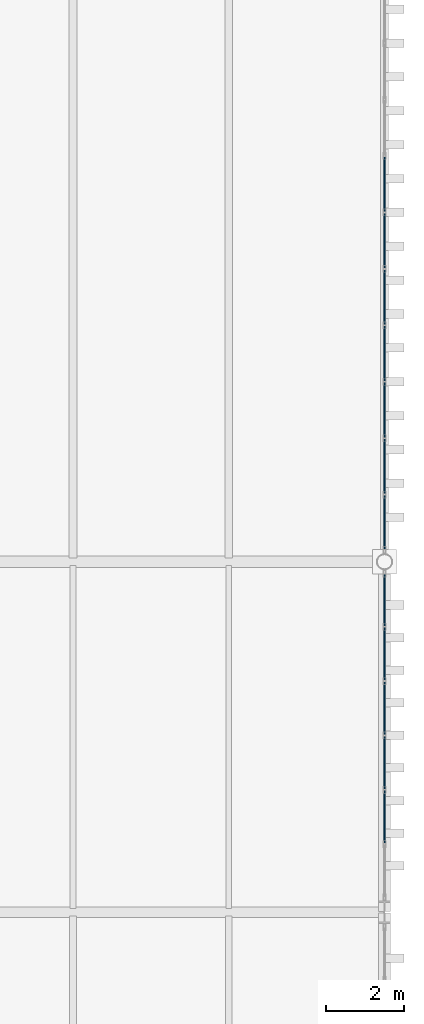
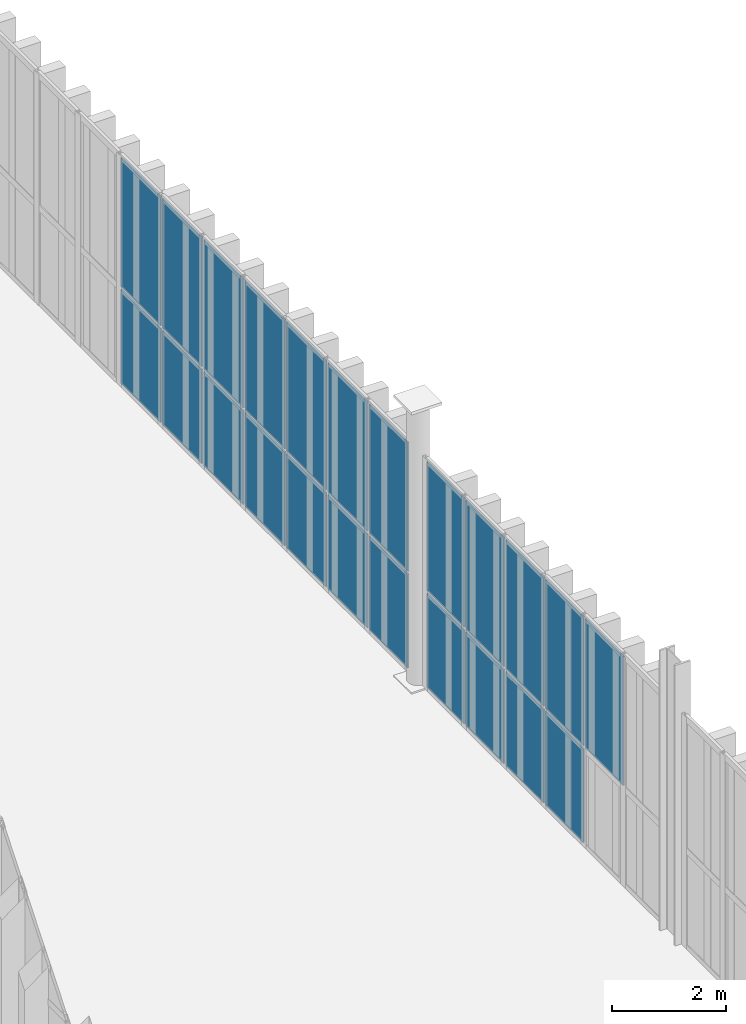
# One storey, part 166 of 211: 23 plates, 2 elements without a shape of their own.
"""IFC4 building model written with IfcOpenShell, lengths in metres."""

from ifc_helpers import new_model, si_unit, direction, frame, origin, origin_2d, place, context, subcontext, project, spatial, rectangle, extrude, material, layer, layer_set, type_object, element, aggregate, save


model = new_model("IFC4")

# Units and contexts
model_context = context("Model", 3, precision=1e-05, world=origin(), true_north=direction((0.0, 1.0)))
body_context = subcontext(model_context, "Body", "Model", "MODEL_VIEW")
ifc_project = project(units=[si_unit("LENGTHUNIT", "METRE"), si_unit("AREAUNIT", "SQUARE_METRE"), si_unit("VOLUMEUNIT", "CUBIC_METRE"), si_unit("PLANEANGLEUNIT", "RADIAN"), si_unit("MASSUNIT", "GRAM", prefix="KILO")], contexts=[model_context])

# Site, building, storey
site_placement = place(None, origin())
site = spatial("IfcSite", under=ifc_project, at=site_placement, CompositionType="ELEMENT")
building_placement = place(site_placement, origin())
building = spatial("IfcBuilding", under=site, at=building_placement, Name="Barlavento Convention Centre", CompositionType="ELEMENT")
storey_placement = place(building_placement, frame((0.0, 0.0, 6.0)))
storey = spatial("IfcBuildingStorey", under=building, at=storey_placement, Name="L01", CompositionType="ELEMENT", Elevation=6.0)

# Curtain wall, plates
ifc_material_1 = material(Name="Powder-coated aluminium and Low-E glass", Category="aluminium")
ifc_layer_1 = layer(ifc_material_1, 0.195068359375)
ifc_layer_set_1 = layer_set([ifc_layer_1], Name="ARC-CW-FOY-L01")
curtain_wall_type = type_object("IfcCurtainWallType", Name="ARC-CW-FOY-L01", PredefinedType="NOTDEFINED", material=ifc_layer_set_1)
curtain_wall_1_placement = place(storey_placement, origin())
curtain_wall_1 = element("IfcCurtainWall", 1, at=curtain_wall_1_placement, inside=storey, type_object=curtain_wall_type, Name="L01 unitised curtain wall CW03", PredefinedType="NOTDEFINED")
ifc_material_2 = material(Name="Double-silver Low-E insulated glass", Category="glass")
ifc_layer_2 = layer(ifc_material_2, 0.028076171875)
ifc_layer_set_2 = layer_set([ifc_layer_2], Name="ARC-CWP-GLZ28")
plate_type = type_object("IfcPlateType", Name="ARC-CWP-GLZ28", PredefinedType="CURTAIN_PANEL", material=ifc_layer_set_2)
plate_1_placement = place(storey_placement, frame((192.0, 110.44873046875, 2.1298828125), z_axis=(0.0, 0.0, 1.0), x_axis=(0.0, 1.0, 0.0)))
plate_1 = element("IfcPlate", 2, at=plate_1_placement, type_object=plate_type, Name="CW03 panel 2.2", PredefinedType="CURTAIN_PANEL", context=body_context, shape_type="SweptSolid", body=[
    extrude(rectangle(XDim=1.335205078125, YDim=0.028076171875, at=origin_2d()), origin(), (0.0, 0.0, 1.0), 2.760009765625),
])
plate_2_placement = place(storey_placement, frame((192.0, 111.84375, 0.06005859375), z_axis=(0.0, 0.0, 1.0), x_axis=(0.0, 1.0, 0.0)))
plate_2 = element("IfcPlate", 3, at=plate_2_placement, type_object=plate_type, Name="CW03 panel 3.1", PredefinedType="CURTAIN_PANEL", context=body_context, shape_type="SweptSolid", body=[
    extrude(rectangle(XDim=1.335205078125, YDim=0.028076171875, at=origin_2d()), origin(), (0.0, 0.0, 1.0), 2.010009765625),
])
plate_3_placement = place(storey_placement, frame((192.0, 111.84375, 2.1298828125), z_axis=(0.0, 0.0, 1.0), x_axis=(0.0, 1.0, 0.0)))
plate_3 = element("IfcPlate", 4, at=plate_3_placement, type_object=plate_type, Name="CW03 panel 3.2", PredefinedType="CURTAIN_PANEL", context=body_context, shape_type="SweptSolid", body=[
    extrude(rectangle(XDim=1.335205078125, YDim=0.028076171875, at=origin_2d()), origin(), (0.0, 0.0, 1.0), 2.760009765625),
])
plate_4_placement = place(storey_placement, frame((192.0, 113.239013671875, 0.06005859375), z_axis=(0.0, 0.0, 1.0), x_axis=(0.0, 1.0, 0.0)))
plate_4 = element("IfcPlate", 5, at=plate_4_placement, type_object=plate_type, Name="CW03 panel 4.1", PredefinedType="CURTAIN_PANEL", context=body_context, shape_type="SweptSolid", body=[
    extrude(rectangle(XDim=1.335205078125, YDim=0.028076171875, at=origin_2d()), origin(), (0.0, 0.0, 1.0), 2.010009765625),
])
plate_5_placement = place(storey_placement, frame((192.0, 113.239013671875, 2.1298828125), z_axis=(0.0, 0.0, 1.0), x_axis=(0.0, 1.0, 0.0)))
plate_5 = element("IfcPlate", 6, at=plate_5_placement, type_object=plate_type, Name="CW03 panel 4.2", PredefinedType="CURTAIN_PANEL", context=body_context, shape_type="SweptSolid", body=[
    extrude(rectangle(XDim=1.335205078125, YDim=0.028076171875, at=origin_2d()), origin(), (0.0, 0.0, 1.0), 2.760009765625),
])
plate_6_placement = place(storey_placement, frame((192.0, 114.634033203125, 0.06005859375), z_axis=(0.0, 0.0, 1.0), x_axis=(0.0, 1.0, 0.0)))
plate_6 = element("IfcPlate", 7, at=plate_6_placement, type_object=plate_type, Name="CW03 panel 5.1", PredefinedType="CURTAIN_PANEL", context=body_context, shape_type="SweptSolid", body=[
    extrude(rectangle(XDim=1.335205078125, YDim=0.028076171875, at=origin_2d()), origin(), (0.0, 0.0, 1.0), 2.010009765625),
])
plate_7_placement = place(storey_placement, frame((192.0, 114.634033203125, 2.1298828125), z_axis=(0.0, 0.0, 1.0), x_axis=(0.0, 1.0, 0.0)))
plate_7 = element("IfcPlate", 8, at=plate_7_placement, type_object=plate_type, Name="CW03 panel 5.2", PredefinedType="CURTAIN_PANEL", context=body_context, shape_type="SweptSolid", body=[
    extrude(rectangle(XDim=1.335205078125, YDim=0.028076171875, at=origin_2d()), origin(), (0.0, 0.0, 1.0), 2.760009765625),
])
plate_8_placement = place(storey_placement, frame((192.0, 116.01416015625, 0.06005859375), z_axis=(0.0, 0.0, 1.0), x_axis=(0.0, 1.0, 0.0)))
plate_8 = element("IfcPlate", 9, at=plate_8_placement, type_object=plate_type, Name="CW03 panel 6.1", PredefinedType="CURTAIN_PANEL", context=body_context, shape_type="SweptSolid", body=[
    extrude(rectangle(XDim=1.30517578125, YDim=0.028076171875, at=origin_2d()), origin(), (0.0, 0.0, 1.0), 2.010009765625),
])
plate_9_placement = place(storey_placement, frame((192.0, 116.01416015625, 2.1298828125), z_axis=(0.0, 0.0, 1.0), x_axis=(0.0, 1.0, 0.0)))
plate_9 = element("IfcPlate", 10, at=plate_9_placement, type_object=plate_type, Name="CW03 panel 6.2", PredefinedType="CURTAIN_PANEL", context=body_context, shape_type="SweptSolid", body=[
    extrude(rectangle(XDim=1.30517578125, YDim=0.028076171875, at=origin_2d()), origin(), (0.0, 0.0, 1.0), 2.760009765625),
])
aggregate(curtain_wall_1, [plate_1, plate_2, plate_3, plate_4, plate_5, plate_6, plate_7, plate_8, plate_9])

curtain_wall_2_placement = place(storey_placement, origin())
curtain_wall_2 = element("IfcCurtainWall", 11, at=curtain_wall_2_placement, inside=storey, type_object=curtain_wall_type, Name="L01 unitised curtain wall CW03", PredefinedType="NOTDEFINED")
plate_10_placement = place(storey_placement, frame((192.0, 118.012939453125, 0.06005859375), z_axis=(0.0, 0.0, 1.0), x_axis=(0.0, 1.0, 0.0)))
plate_10 = element("IfcPlate", 12, at=plate_10_placement, type_object=plate_type, Name="CW03 panel 1.1", PredefinedType="CURTAIN_PANEL", context=body_context, shape_type="SweptSolid", body=[
    extrude(rectangle(XDim=1.359619140625, YDim=0.028076171875, at=origin_2d()), origin(), (0.0, 0.0, 1.0), 2.010009765625),
])
plate_11_placement = place(storey_placement, frame((192.0, 118.012939453125, 2.1298828125), z_axis=(0.0, 0.0, 1.0), x_axis=(0.0, 1.0, 0.0)))
plate_11 = element("IfcPlate", 13, at=plate_11_placement, type_object=plate_type, Name="CW03 panel 1.2", PredefinedType="CURTAIN_PANEL", context=body_context, shape_type="SweptSolid", body=[
    extrude(rectangle(XDim=1.359619140625, YDim=0.028076171875, at=origin_2d()), origin(), (0.0, 0.0, 1.0), 2.760009765625),
])
plate_12_placement = place(storey_placement, frame((192.0, 119.447509765625, 0.06005859375), z_axis=(0.0, 0.0, 1.0), x_axis=(0.0, 1.0, 0.0)))
plate_12 = element("IfcPlate", 14, at=plate_12_placement, type_object=plate_type, Name="CW03 panel 2.1", PredefinedType="CURTAIN_PANEL", context=body_context, shape_type="SweptSolid", body=[
    extrude(rectangle(XDim=1.3896484375, YDim=0.028076171875, at=origin_2d()), origin(), (0.0, 0.0, 1.0), 2.010009765625),
])
plate_13_placement = place(storey_placement, frame((192.0, 119.447509765625, 2.1298828125), z_axis=(0.0, 0.0, 1.0), x_axis=(0.0, 1.0, 0.0)))
plate_13 = element("IfcPlate", 15, at=plate_13_placement, type_object=plate_type, Name="CW03 panel 2.2", PredefinedType="CURTAIN_PANEL", context=body_context, shape_type="SweptSolid", body=[
    extrude(rectangle(XDim=1.3896484375, YDim=0.028076171875, at=origin_2d()), origin(), (0.0, 0.0, 1.0), 2.760009765625),
])
plate_14_placement = place(storey_placement, frame((192.0, 120.897216796875, 0.06005859375), z_axis=(0.0, 0.0, 1.0), x_axis=(0.0, 1.0, 0.0)))
plate_14 = element("IfcPlate", 16, at=plate_14_placement, type_object=plate_type, Name="CW03 panel 3.1", PredefinedType="CURTAIN_PANEL", context=body_context, shape_type="SweptSolid", body=[
    extrude(rectangle(XDim=1.3896484375, YDim=0.028076171875, at=origin_2d()), origin(), (0.0, 0.0, 1.0), 2.010009765625),
])
plate_15_placement = place(storey_placement, frame((192.0, 120.897216796875, 2.1298828125), z_axis=(0.0, 0.0, 1.0), x_axis=(0.0, 1.0, 0.0)))
plate_15 = element("IfcPlate", 17, at=plate_15_placement, type_object=plate_type, Name="CW03 panel 3.2", PredefinedType="CURTAIN_PANEL", context=body_context, shape_type="SweptSolid", body=[
    extrude(rectangle(XDim=1.3896484375, YDim=0.028076171875, at=origin_2d()), origin(), (0.0, 0.0, 1.0), 2.760009765625),
])
plate_16_placement = place(storey_placement, frame((192.0, 122.3466796875, 0.06005859375), z_axis=(0.0, 0.0, 1.0), x_axis=(0.0, 1.0, 0.0)))
plate_16 = element("IfcPlate", 18, at=plate_16_placement, type_object=plate_type, Name="CW03 panel 4.1", PredefinedType="CURTAIN_PANEL", context=body_context, shape_type="SweptSolid", body=[
    extrude(rectangle(XDim=1.3896484375, YDim=0.028076171875, at=origin_2d()), origin(), (0.0, 0.0, 1.0), 2.010009765625),
])
plate_17_placement = place(storey_placement, frame((192.0, 122.3466796875, 2.1298828125), z_axis=(0.0, 0.0, 1.0), x_axis=(0.0, 1.0, 0.0)))
plate_17 = element("IfcPlate", 19, at=plate_17_placement, type_object=plate_type, Name="CW03 panel 4.2", PredefinedType="CURTAIN_PANEL", context=body_context, shape_type="SweptSolid", body=[
    extrude(rectangle(XDim=1.3896484375, YDim=0.028076171875, at=origin_2d()), origin(), (0.0, 0.0, 1.0), 2.760009765625),
])
plate_18_placement = place(storey_placement, frame((192.0, 123.796142578125, 0.06005859375), z_axis=(0.0, 0.0, 1.0), x_axis=(0.0, 1.0, 0.0)))
plate_18 = element("IfcPlate", 20, at=plate_18_placement, type_object=plate_type, Name="CW03 panel 5.1", PredefinedType="CURTAIN_PANEL", context=body_context, shape_type="SweptSolid", body=[
    extrude(rectangle(XDim=1.3896484375, YDim=0.028076171875, at=origin_2d()), origin(), (0.0, 0.0, 1.0), 2.010009765625),
])
plate_19_placement = place(storey_placement, frame((192.0, 123.796142578125, 2.1298828125), z_axis=(0.0, 0.0, 1.0), x_axis=(0.0, 1.0, 0.0)))
plate_19 = element("IfcPlate", 21, at=plate_19_placement, type_object=plate_type, Name="CW03 panel 5.2", PredefinedType="CURTAIN_PANEL", context=body_context, shape_type="SweptSolid", body=[
    extrude(rectangle(XDim=1.3896484375, YDim=0.028076171875, at=origin_2d()), origin(), (0.0, 0.0, 1.0), 2.760009765625),
])
plate_20_placement = place(storey_placement, frame((192.0, 125.245849609375, 0.06005859375), z_axis=(0.0, 0.0, 1.0), x_axis=(0.0, 1.0, 0.0)))
plate_20 = element("IfcPlate", 22, at=plate_20_placement, type_object=plate_type, Name="CW03 panel 6.1", PredefinedType="CURTAIN_PANEL", context=body_context, shape_type="SweptSolid", body=[
    extrude(rectangle(XDim=1.3896484375, YDim=0.028076171875, at=origin_2d()), origin(), (0.0, 0.0, 1.0), 2.010009765625),
])
plate_21_placement = place(storey_placement, frame((192.0, 125.245849609375, 2.1298828125), z_axis=(0.0, 0.0, 1.0), x_axis=(0.0, 1.0, 0.0)))
plate_21 = element("IfcPlate", 23, at=plate_21_placement, type_object=plate_type, Name="CW03 panel 6.2", PredefinedType="CURTAIN_PANEL", context=body_context, shape_type="SweptSolid", body=[
    extrude(rectangle(XDim=1.3896484375, YDim=0.028076171875, at=origin_2d()), origin(), (0.0, 0.0, 1.0), 2.760009765625),
])
plate_22_placement = place(storey_placement, frame((192.0, 126.6953125, 0.06005859375), z_axis=(0.0, 0.0, 1.0), x_axis=(0.0, 1.0, 0.0)))
plate_22 = element("IfcPlate", 24, at=plate_22_placement, type_object=plate_type, Name="CW03 panel 7.1", PredefinedType="CURTAIN_PANEL", context=body_context, shape_type="SweptSolid", body=[
    extrude(rectangle(XDim=1.3896484375, YDim=0.028076171875, at=origin_2d()), origin(), (0.0, 0.0, 1.0), 2.010009765625),
])
plate_23_placement = place(storey_placement, frame((192.0, 126.6953125, 2.1298828125), z_axis=(0.0, 0.0, 1.0), x_axis=(0.0, 1.0, 0.0)))
plate_23 = element("IfcPlate", 25, at=plate_23_placement, type_object=plate_type, Name="CW03 panel 7.2", PredefinedType="CURTAIN_PANEL", context=body_context, shape_type="SweptSolid", body=[
    extrude(rectangle(XDim=1.3896484375, YDim=0.028076171875, at=origin_2d()), origin(), (0.0, 0.0, 1.0), 2.760009765625),
])
aggregate(curtain_wall_2, [plate_10, plate_11, plate_12, plate_13, plate_14, plate_15, plate_16, plate_17, plate_18, plate_19, plate_20, plate_21, plate_22, plate_23])

save(model, "model.ifc")
